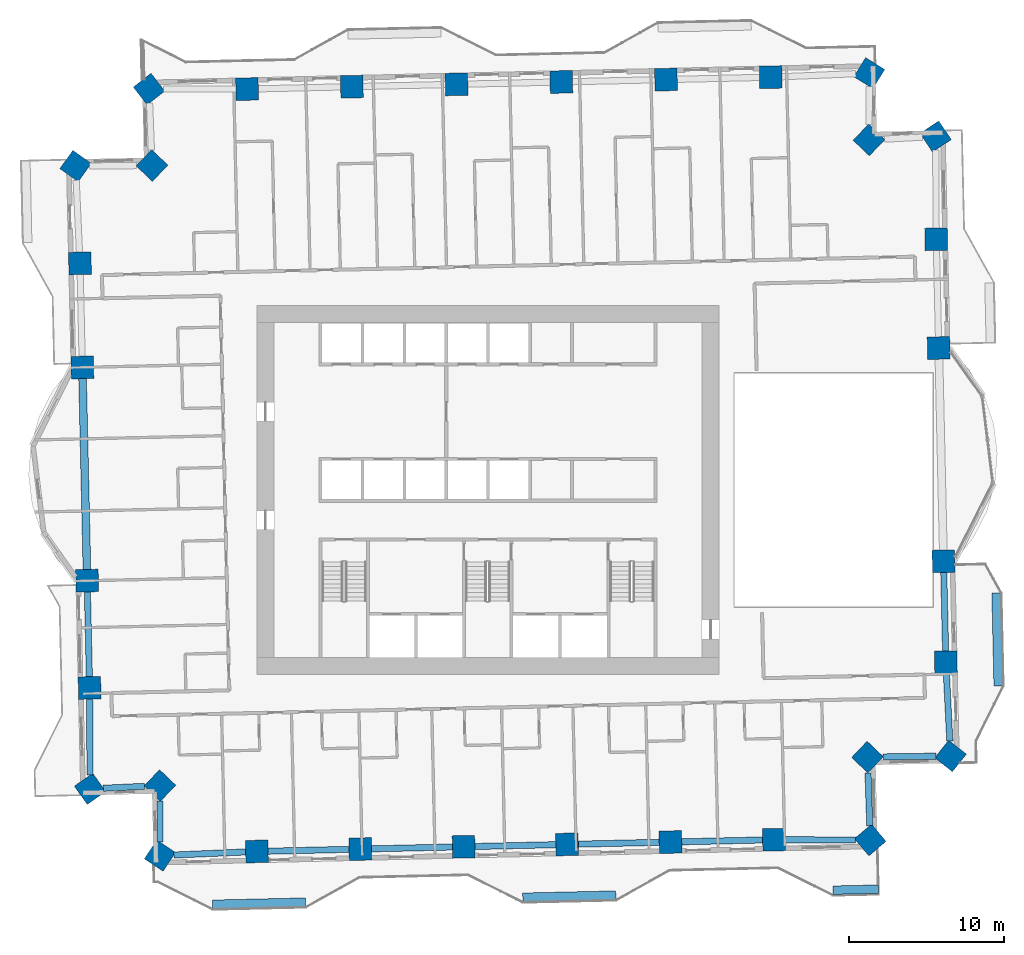
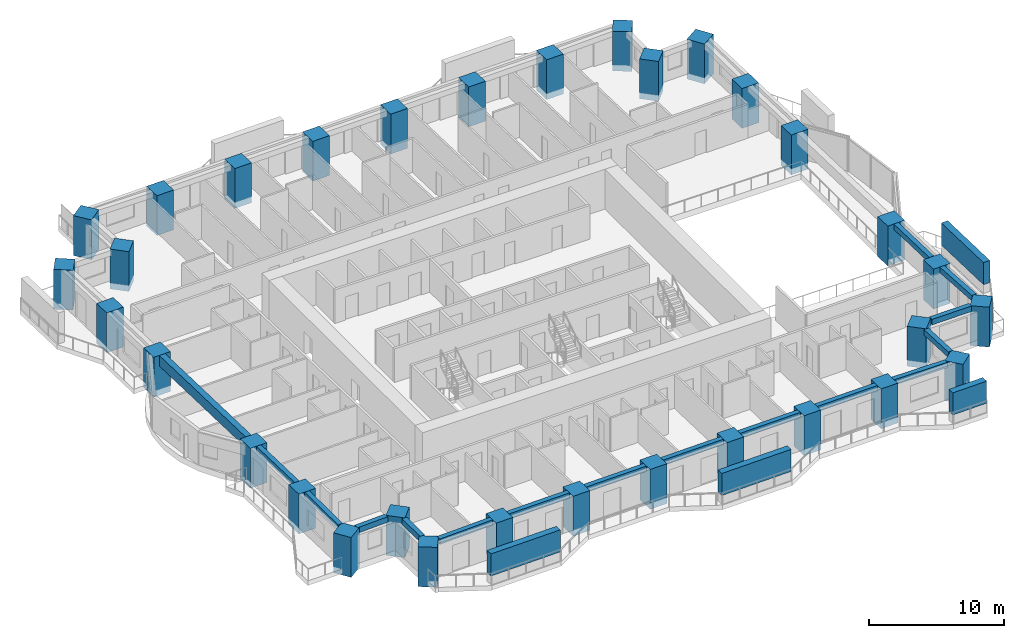
# One storey, part 1 of 17: 32 columns, 16 beams, 4 members.
"""IFC4 building model written with IfcOpenShell, lengths in metres."""

from ifc_helpers import new_model, si_unit, direction, frame, origin, origin_2d, place, context, subcontext, project, spatial, rectangle, extrude, material, material_profile, profile_set, type_object, element, save


model = new_model("IFC4")

# Units and contexts
model_context = context("Model", 3, precision=1e-05, world=origin(), true_north=direction((0.0, 1.0)))
body_context = subcontext(model_context, "Body", "Model", "MODEL_VIEW")
ifc_project = project(units=[si_unit("LENGTHUNIT", "METRE"), si_unit("AREAUNIT", "SQUARE_METRE"), si_unit("VOLUMEUNIT", "CUBIC_METRE"), si_unit("PLANEANGLEUNIT", "RADIAN"), si_unit("MASSUNIT", "GRAM", prefix="KILO")], contexts=[model_context])

# Site, building, storey
site_placement = place(None, origin())
site = spatial("IfcSite", under=ifc_project, at=site_placement, CompositionType="ELEMENT")
building_placement = place(site_placement, origin())
building = spatial("IfcBuilding", under=site, at=building_placement, Name="Mangrove Gate Tower", CompositionType="ELEMENT")
storey_placement = place(building_placement, frame((0.0, 0.0, 79.300048828125)))
storey = spatial("IfcBuildingStorey", under=building, at=storey_placement, Name="L19", CompositionType="ELEMENT", Elevation=79.300048828125)

# Columns
ifc_material_1 = material(Name="Concrete C70/85", Category="concrete")
ifc_material_profile_1 = material_profile(ifc_material_1, rectangle(XDim=1.449951171875, YDim=1.449951171875, at=origin_2d()))
ifc_profile_set_1 = profile_set([ifc_material_profile_1], Name="Concrete C70/85")
column_type = type_object("IfcColumnType", Name="Column RC 1450x1450 C70/85", PredefinedType="COLUMN", material=ifc_profile_set_1)
for number, where, z_axis, x_axis, name in (
    (1, (-25.84814453125, -5.849609375, -0.550048828125), (0.0, 0.0, 1.0), (0.022697227041, -0.99974238476, 0.0), "Column L19 W05"),
    (2, (-25.691162109375, -12.760498046875, -0.550048828125), (0.0, 0.0, 1.0), (0.022711552501, -0.999742059425, 0.0), "Column L19 W06"),
    (3, (-25.664794921875, -19.272705078125, -0.550048828125), (0.0, 0.0, 1.0), (0.572799342172, -0.819695622538, 0.0), "Column L19 W07"),
    (4, (-21.1591796875, -19.058837890625, -0.550048828125), (0.0, 0.0, 1.0), (0.722988982899, -0.690859559249, 0.0), "Column L19 W08"),
    (5, (-21.157958984375, -23.576171875, -0.550048828125), (0.0, 0.0, 1.0), (0.835754041756, -0.549103980762, 0.0), "Column L19 S01"),
    (6, (-14.906494140625, -23.30615234375, -0.550048828125), (0.0, 0.0, 1.0), (0.999741835415, 0.022721411066, 0.0), "Column L19 S02"),
    (7, (-8.240478515625, -23.154296875, -0.550048828125), (0.0, 0.0, 1.0), (0.999741796947, 0.022723103599, 0.0), "Column L19 S03"),
    (8, (-1.575439453125, -23.003173828125, -0.550048828125), (0.0, 0.0, 1.0), (0.999743497505, 0.022648160999, 0.0), "Column L19 S04"),
    (9, (5.090576171875, -22.852294921875, -0.550048828125), (0.0, 0.0, 1.0), (0.999743536241, 0.022646451015, 0.0), "Column L19 S05"),
    (10, (11.756591796875, -22.701171875, -0.550048828125), (0.0, 0.0, 1.0), (0.999741796947, 0.022723103599, 0.0), "Column L19 S06"),
    (11, (18.421630859375, -22.549072265625, -0.550048828125), (0.0, 0.0, 1.0), (0.999741796947, 0.022723103599, 0.0), "Column L19 S07"),
    (12, (24.635009765625, -22.570068359375, -0.550048828125), (0.0, 0.0, 1.0), (0.762709463852, 0.646741272651, 0.0), "Column L19 S08"),
    (13, (24.457763671875, -17.22412109375, -0.550048828125), (0.0, 0.0, 1.0), (0.690883635037, 0.722965976266, 0.0), "Column L19 E01"),
    (14, (29.8115234375, -17.152099609375, -0.550048828125), (0.0, 0.0, 1.0), (0.620563665396, 0.784156066858, 0.0), "Column L19 E02"),
    (15, (29.507080078125, -11.107421875, -0.550048828125), (0.0, 0.0, 1.0), (-0.02264990588, 0.999743457975, 0.0), "Column L19 E03"),
    (16, (29.360107421875, -4.597412109375, -0.550048828125), (0.0, 0.0, 1.0), (-0.022653011769, 0.999743387604, 0.0), "Column L19 E04"),
    (17, (29.048095703125, 9.149658203125, -0.550048828125), (0.0, 0.0, 1.0), (-0.022684210237, 0.999742680196, 0.0), "Column L19 E05"),
    (18, (28.88916015625, 16.16064453125, -0.550048828125), (0.0, 0.0, 1.0), (-0.022674438908, 0.99974290186, 0.0), "Column L19 E06"),
    (19, (28.849853515625, 22.787841796875, -0.550048828125), (0.0, 0.0, 1.0), (-0.550567885303, 0.834790395053, 0.0), "Column L19 E07"),
    (20, (24.55517578125, 22.56396484375, -0.550048828125), (0.0, 0.0, 1.0), (-0.722913991344, 0.690938029869, 0.0), "Column L19 E08"),
    (21, (24.57421875, 26.87060546875, -0.550048828125), (0.0, 0.0, 1.0), (-0.85008265929, 0.526649287832, 0.0), "Column L19 N01"),
    (22, (18.220458984375, 26.608154296875, -0.550048828125), (0.0, 0.0, 1.0), (-0.999741644236, -0.022729821381, 0.0), "Column L19 N02"),
    (23, (11.469482421875, 26.455078125, -0.550048828125), (0.0, 0.0, 1.0), (-0.999743285984, -0.022657496114, 0.0), "Column L19 N03"),
    (24, (4.718505859375, 26.30224609375, -0.550048828125), (0.0, 0.0, 1.0), (-0.999743323945, -0.022655821028, 0.0), "Column L19 N04"),
    (25, (-2.033447265625, 26.149169921875, -0.550048828125), (0.0, 0.0, 1.0), (-0.999741644236, -0.022729821381, 0.0), "Column L19 N05"),
    (26, (-8.784423828125, 25.9951171875, -0.550048828125), (0.0, 0.0, 1.0), (-0.999741644236, -0.022729821381, 0.0), "Column L19 N06"),
    (27, (-15.53662109375, 25.84228515625, -0.550048828125), (0.0, 0.0, 1.0), (-0.999743323945, -0.022655821028, 0.0), "Column L19 N07"),
    (28, (-21.859375, 25.84130859375, -0.550048828125), (0.0, 0.0, 1.0), (-0.789979802002, -0.613132866864, 0.0), "Column L19 N08"),
    (29, (-21.666748046875, 20.9140625, -0.550048828125), (0.0, 0.0, 1.0), (-0.690872556232, -0.722976563275, 0.0), "Column L19 W01"),
    (30, (-26.597900390625, 20.88232421875, -0.550048828125), (0.0, 0.0, 1.0), (-0.5789981691, -0.815328841744, 0.0), "Column L19 W02"),
    (31, (-26.312255859375, 14.607421875, -0.550048828125), (0.0, 0.0, 1.0), (0.022645264495, -0.999743563118, 0.0), "Column L19 W03"),
    (32, (-26.16015625, 7.8974609375, -0.550048828125), (0.0, 0.0, 1.0), (0.022675887158, -0.999742869013, 0.0), "Column L19 W04"),
):
    element("IfcColumn", number, at=place(storey_placement, frame(where, z_axis=z_axis, x_axis=x_axis)), inside=storey, type_object=column_type, Name=name, PredefinedType="COLUMN", context=body_context, shape_type="SweptSolid", body=[
        extrude(rectangle(XDim=1.449951171875, YDim=1.449951171875, at=origin_2d()), origin(), (0.0, 0.0, 1.0), 3.60009765625),
    ])

# Members
ifc_material_2 = material(Name="Planting on aluminium trellis", Category="aluminium")
ifc_material_profile_2 = material_profile(ifc_material_2, rectangle(XDim=0.550048828125, YDim=2.0, at=origin_2d()))
ifc_profile_set_2 = profile_set([ifc_material_profile_2], Name="Planting on aluminium trellis")
member_type = type_object("IfcMemberType", Name="Balcony greenery screen 550x2000", PredefinedType="USERDEFINED", material=ifc_profile_set_2)
member_1_placement = place(storey_placement, frame((32.883056640625, -12.64404296875, 1.800048828125), z_axis=(-0.022662255828, 0.999743178102, 0.0), x_axis=(-0.999743178102, -0.022662255828, 0.0)))
element("IfcMember", 33, at=member_1_placement, inside=storey, type_object=member_type, Name="GREEN SCREEN L19 E0.1", ObjectType="PLANTING", PredefinedType="USERDEFINED", context=body_context, shape_type="SweptSolid", body=[
    extrude(rectangle(XDim=0.550048828125, YDim=2.0, at=origin_2d()), origin(), (0.0, 0.0, 1.0), 6.00048828125),
])
for number, where, z_axis, x_axis, name in (
    (34, (-17.760986328125, -26.7119140625, 1.800048828125), (0.999739392852, 0.022828630714, 0.0), (-0.022828630714, 0.999739392852, 0.0), "GREEN SCREEN L19 S0.1"),
    (35, (2.23388671875, -26.258056640625, 1.800048828125), (0.999743094499, 0.022665943652, 0.0), (-0.022665943652, 0.999743094499, 0.0), "GREEN SCREEN L19 S1.1"),
):
    element("IfcMember", number, at=place(storey_placement, frame(where, z_axis=z_axis, x_axis=x_axis)), inside=storey, type_object=member_type, Name=name, ObjectType="PLANTING", PredefinedType="USERDEFINED", context=body_context, shape_type="SweptSolid", body=[
        extrude(rectangle(XDim=0.550048828125, YDim=2.0, at=origin_2d()), origin(), (0.0, 0.0, 1.0), 5.99951171875),
    ])
member_2_placement = place(storey_placement, frame((22.22802734375, -25.803955078125, 1.800048828125), z_axis=(0.999740546409, 0.022778056687, 0.0), x_axis=(-0.022778056687, 0.999740546409, 0.0)))
element("IfcMember", 36, at=member_2_placement, inside=storey, type_object=member_type, Name="GREEN SCREEN L19 S1.2", ObjectType="PLANTING", PredefinedType="USERDEFINED", context=body_context, shape_type="SweptSolid", body=[
    extrude(rectangle(XDim=0.550048828125, YDim=2.0, at=origin_2d()), origin(), (0.0, 0.0, 1.0), 2.936767578125),
])

# Beams
ifc_material_3 = material(Name="Concrete C50/60", Category="concrete")
ifc_material_profile_3 = material_profile(ifc_material_3, rectangle(XDim=0.39990234375, YDim=0.5, at=origin_2d()))
ifc_profile_set_3 = profile_set([ifc_material_profile_3], Name="Concrete C50/60")
beam_type_1 = type_object("IfcBeamType", Name="Edge beam RC 400x500 C50/60", PredefinedType="BEAM", material=ifc_profile_set_3)
beam_1_placement = place(storey_placement, frame((-25.831787109375, -6.574462890625, 2.800048828125), z_axis=(0.022704146437, -0.999742227644, 0.0), x_axis=(0.999742227644, 0.022704146437, 0.0)))
element("IfcBeam", 37, at=beam_1_placement, inside=storey, type_object=beam_type_1, Name="Edge beam L19 00", PredefinedType="BEAM", context=body_context, shape_type="SweptSolid", body=[
    extrude(rectangle(XDim=0.39990234375, YDim=0.5, at=origin_2d()), origin(), (0.0, 0.0, 1.0), 5.462646484375),
])
beam_2_placement = place(storey_placement, frame((-25.688232421875, -13.485595703125, 2.800048828125), z_axis=(0.00408119237, -0.9999916719, 0.0), x_axis=(0.9999916719, 0.00408119237, 0.0)))
element("IfcBeam", 38, at=beam_2_placement, inside=storey, type_object=beam_type_1, Name="Edge beam L19 01", PredefinedType="BEAM", context=body_context, shape_type="SweptSolid", body=[
    extrude(rectangle(XDim=0.39990234375, YDim=0.5, at=origin_2d()), origin(), (0.0, 0.0, 1.0), 4.9052734375),
])
beam_3_placement = place(storey_placement, frame((-24.80859375, -19.232177734375, 2.800048828125), z_axis=(0.998871674822, 0.047490812145, 0.0), x_axis=(-0.047490812145, 0.998871674822, 0.0)))
element("IfcBeam", 39, at=beam_3_placement, inside=storey, type_object=beam_type_1, Name="Edge beam L19 02", PredefinedType="BEAM", context=body_context, shape_type="SweptSolid", body=[
    extrude(rectangle(XDim=0.39990234375, YDim=0.5, at=origin_2d()), origin(), (0.0, 0.0, 1.0), 2.652587890625),
])
beam_4_placement = place(storey_placement, frame((-21.158935546875, -20.061767578125, 2.800048828125), z_axis=(0.000276727229, -0.999999961711, 0.0), x_axis=(0.999999961711, 0.000276727229, 0.0)))
element("IfcBeam", 40, at=beam_4_placement, inside=storey, type_object=beam_type_1, Name="Edge beam L19 03", PredefinedType="BEAM", context=body_context, shape_type="SweptSolid", body=[
    extrude(rectangle(XDim=0.39990234375, YDim=0.5, at=origin_2d()), origin(), (0.0, 0.0, 1.0), 2.646728515625),
])
beam_5_placement = place(storey_placement, frame((-20.26513671875, -23.53759765625, 2.800048828125), z_axis=(0.999068234877, 0.043158568781, 0.0), x_axis=(-0.043158568781, 0.999068234877, 0.0)))
element("IfcBeam", 41, at=beam_5_placement, inside=storey, type_object=beam_type_1, Name="Edge beam L19 04", PredefinedType="BEAM", context=body_context, shape_type="SweptSolid", body=[
    extrude(rectangle(XDim=0.39990234375, YDim=0.5, at=origin_2d()), origin(), (0.0, 0.0, 1.0), 4.638671875),
])
beam_6_placement = place(storey_placement, frame((-14.181640625, -23.28955078125, 2.800048828125), z_axis=(0.999740335669, 0.02278730429, 0.0), x_axis=(-0.02278730429, 0.999740335669, 0.0)))
element("IfcBeam", 42, at=beam_6_placement, inside=storey, type_object=beam_type_1, Name="Edge beam L19 05", PredefinedType="BEAM", context=body_context, shape_type="SweptSolid", body=[
    extrude(rectangle(XDim=0.39990234375, YDim=0.5, at=origin_2d()), origin(), (0.0, 0.0, 1.0), 5.2177734375),
])
beam_7_placement = place(storey_placement, frame((-7.515625, -23.1376953125, 2.800048828125), z_axis=(0.999743427717, 0.022651241411, 0.0), x_axis=(-0.022651241411, 0.999743427717, 0.0)))
element("IfcBeam", 43, at=beam_7_placement, inside=storey, type_object=beam_type_1, Name="Edge beam L19 06", PredefinedType="BEAM", context=body_context, shape_type="SweptSolid", body=[
    extrude(rectangle(XDim=0.39990234375, YDim=0.5, at=origin_2d()), origin(), (0.0, 0.0, 1.0), 5.216552734375),
])
for number, where, z_axis, x_axis, name in (
    (44, (-0.8505859375, -22.98681640625, 2.800048828125), (0.999743523738, 0.022647002972, 0.0), (-0.022647002972, 0.999743523738, 0.0), "Edge beam L19 07"),
    (45, (5.8154296875, -22.835693359375, 2.800048828125), (0.999743523738, 0.022647002972, 0.0), (-0.022647002972, 0.999743523738, 0.0), "Edge beam L19 08"),
):
    element("IfcBeam", number, at=place(storey_placement, frame(where, z_axis=z_axis, x_axis=x_axis)), inside=storey, type_object=beam_type_1, Name=name, PredefinedType="BEAM", context=body_context, shape_type="SweptSolid", body=[
        extrude(rectangle(XDim=0.39990234375, YDim=0.5, at=origin_2d()), origin(), (0.0, 0.0, 1.0), 5.217529296875),
    ])
beam_8_placement = place(storey_placement, frame((12.4814453125, -22.6845703125, 2.800048828125), z_axis=(0.999740238454, 0.02279156896, 0.0), x_axis=(-0.02279156896, 0.999740238454, 0.0)))
element("IfcBeam", 46, at=beam_8_placement, inside=storey, type_object=beam_type_1, Name="Edge beam L19 09", PredefinedType="BEAM", context=body_context, shape_type="SweptSolid", body=[
    extrude(rectangle(XDim=0.39990234375, YDim=0.5, at=origin_2d()), origin(), (0.0, 0.0, 1.0), 5.216796875),
])
beam_9_placement = place(storey_placement, frame((19.146728515625, -22.551513671875, 2.800048828125), z_axis=(0.999994249006, -0.003391453364, 0.0), x_axis=(0.003391453364, 0.999994249006, 0.0)))
element("IfcBeam", 47, at=beam_9_placement, inside=storey, type_object=beam_type_1, Name="Edge beam L19 10", PredefinedType="BEAM", context=body_context, shape_type="SweptSolid", body=[
    extrude(rectangle(XDim=0.39990234375, YDim=0.5, at=origin_2d()), origin(), (0.0, 0.0, 1.0), 4.53515625),
])
beam_10_placement = place(storey_placement, frame((24.6044921875, -21.6455078125, 2.800048828125), z_axis=(-0.03315745307, 0.99945014048, 0.0), x_axis=(-0.99945014048, -0.03315745307, 0.0)))
element("IfcBeam", 48, at=beam_10_placement, inside=storey, type_object=beam_type_1, Name="Edge beam L19 11", PredefinedType="BEAM", context=body_context, shape_type="SweptSolid", body=[
    extrude(rectangle(XDim=0.39990234375, YDim=0.5, at=origin_2d()), origin(), (0.0, 0.0, 1.0), 3.4091796875),
])
beam_11_placement = place(storey_placement, frame((25.4736328125, -17.21044921875, 2.800048828125), z_axis=(0.999909071314, 0.01348514386, 0.0), x_axis=(-0.01348514386, 0.999909071314, 0.0)))
element("IfcBeam", 49, at=beam_11_placement, inside=storey, type_object=beam_type_1, Name="Edge beam L19 12", PredefinedType="BEAM", context=body_context, shape_type="SweptSolid", body=[
    extrude(rectangle(XDim=0.39990234375, YDim=0.5, at=origin_2d()), origin(), (0.0, 0.0, 1.0), 3.403564453125),
])
beam_12_placement = place(storey_placement, frame((29.762939453125, -16.189208984375, 2.800048828125), z_axis=(-0.0502501973, 0.998736660823, 0.0), x_axis=(-0.998736660823, -0.0502501973, 0.0)))
element("IfcBeam", 50, at=beam_12_placement, inside=storey, type_object=beam_type_1, Name="Edge beam L19 13", PredefinedType="BEAM", context=body_context, shape_type="SweptSolid", body=[
    extrude(rectangle(XDim=0.39990234375, YDim=0.5, at=origin_2d()), origin(), (0.0, 0.0, 1.0), 4.363037109375),
])
beam_13_placement = place(storey_placement, frame((29.49072265625, -10.382568359375, 2.800048828125), z_axis=(-0.022573490963, 0.999745186288, 0.0), x_axis=(-0.999745186288, -0.022573490963, 0.0)))
element("IfcBeam", 51, at=beam_13_placement, inside=storey, type_object=beam_type_1, Name="Edge beam L19 14", PredefinedType="BEAM", context=body_context, shape_type="SweptSolid", body=[
    extrude(rectangle(XDim=0.39990234375, YDim=0.5, at=origin_2d()), origin(), (0.0, 0.0, 1.0), 5.0615234375),
])
ifc_material_4 = material(Name="Concrete C50/60", Category="concrete")
ifc_material_profile_4 = material_profile(ifc_material_4, rectangle(XDim=0.5, YDim=0.949951171875, at=origin_2d()))
ifc_profile_set_4 = profile_set([ifc_material_profile_4], Name="Concrete C50/60")
beam_type_2 = type_object("IfcBeamType", Name="Edge beam RC 500x950 C50/60", PredefinedType="BEAM", material=ifc_profile_set_4)
beam_14_placement = place(storey_placement, frame((-26.143798828125, 7.172607421875, 2.574951171875), z_axis=(0.022686238453, -0.999742634174, 0.0), x_axis=(0.999742634174, 0.022686238453, 0.0)))
element("IfcBeam", 52, at=beam_14_placement, inside=storey, type_object=beam_type_2, Name="Edge beam L19 31", PredefinedType="BEAM", context=body_context, shape_type="SweptSolid", body=[
    extrude(rectangle(XDim=0.5, YDim=0.949951171875, at=origin_2d()), origin(), (0.0, 0.0, 1.0), 12.300537109375),
])

save(model, "model.ifc")
